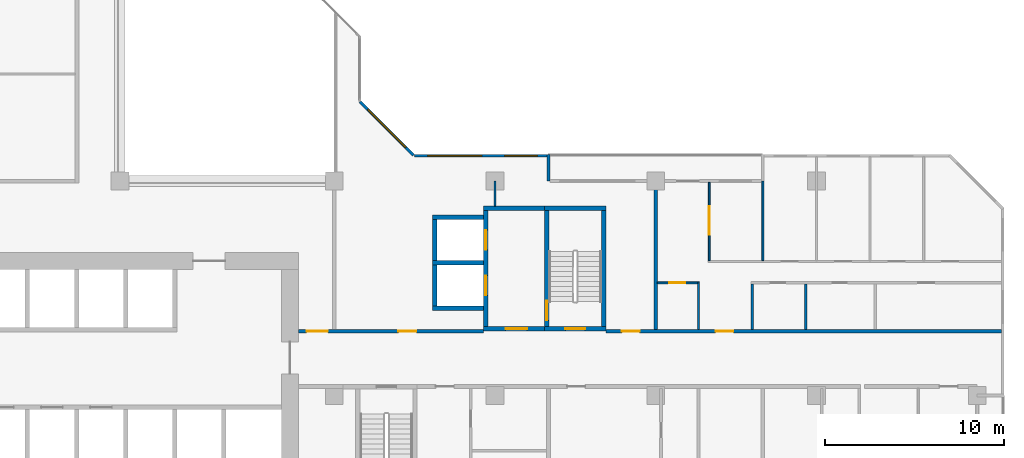
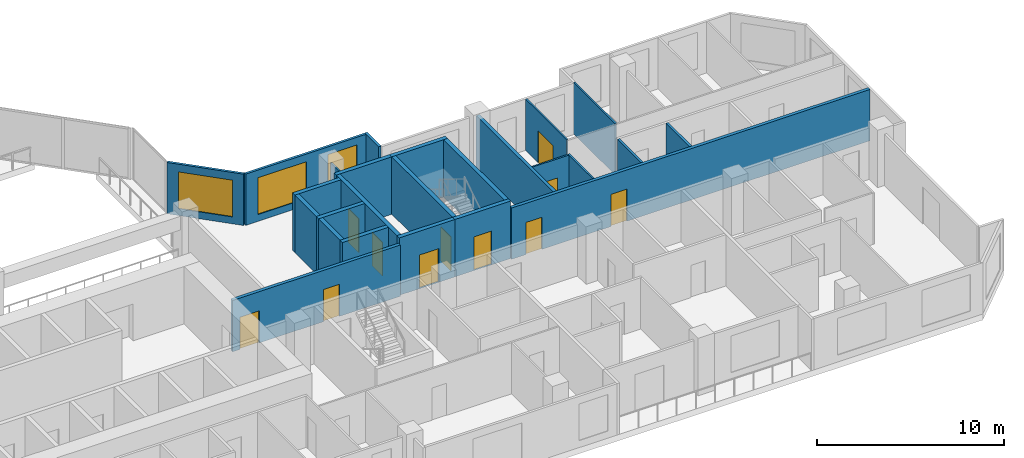
# One storey, part 7 of 15: 25 walls, 11 doors, 3 windows, 14 openings.
"""IFC4 building model written with IfcOpenShell, lengths in metres."""

from ifc_helpers import new_model, si_unit, direction, frame, frame_2d, origin, place, context, subcontext, project, spatial, rectangle, extrude, material, layer, layer_set, type_object, element, fill, save


model = new_model("IFC4")

# Units and contexts
model_context = context("Model", 3, precision=1e-05, world=origin(), true_north=direction((0.0, 1.0)))
body_context = subcontext(model_context, "Body", "Model", "MODEL_VIEW")
ifc_project = project(units=[si_unit("LENGTHUNIT", "METRE"), si_unit("AREAUNIT", "SQUARE_METRE"), si_unit("VOLUMEUNIT", "CUBIC_METRE"), si_unit("PLANEANGLEUNIT", "RADIAN"), si_unit("MASSUNIT", "GRAM", prefix="KILO")], contexts=[model_context])

# Site, building, storey
site_placement = place(None, origin())
site = spatial("IfcSite", under=ifc_project, at=site_placement, CompositionType="ELEMENT")
building_placement = place(site_placement, origin())
building = spatial("IfcBuilding", under=site, at=building_placement, Name="Chenar Terraces", CompositionType="ELEMENT")
storey_placement = place(building_placement, frame((0.0, 0.0, 95.64990234375)))
storey = spatial("IfcBuildingStorey", under=building, at=storey_placement, Name="L21", CompositionType="ELEMENT", Elevation=95.64990234375)

# Wall, opening, door
ifc_material_1 = material(Name="Concrete C70/85", Category="concrete")
ifc_layer_1 = layer(ifc_material_1, 0.25)
ifc_layer_set_1 = layer_set([ifc_layer_1], Name="Concrete C70/85")
wall_type_1 = type_object("IfcWallType", Name="Core wall 250 Concrete C70/85", PredefinedType="SHEAR", material=ifc_layer_set_1)
wall_1_placement = place(storey_placement, frame((47.77490234375, 15.72509765625, 0.0), z_axis=(0.0, 0.0, 1.0), x_axis=(1.0, 0.0, 0.0)))
wall_1 = element("IfcWall", 1, at=wall_1_placement, inside=storey, type_object=wall_type_1, Name="Core wall ST3_S L21", PredefinedType="SHEAR", context=body_context, shape_type="SweptSolid", body=[
    extrude(rectangle(XDim=3.4501953125, YDim=0.25, at=frame_2d((1.72509765625, 0.0))), origin(), (0.0, 0.0, 1.0), 3.75),
])
opening_1_placement = place(wall_1_placement, frame((1.175048828125, 0.0, 0.0)))
opening_1 = element("IfcOpeningElement", 2, at=opening_1_placement, cuts=wall_1, Name="Opening DL21-C8", PredefinedType="OPENING", context=body_context, shape_type="SweptSolid", body=[
    extrude(rectangle(XDim=1.10009765625, YDim=2.199951171875, at=frame_2d((0.550048828125, 1.10009765625))), frame((0.0, 0.135009765625, 0.0), z_axis=(0.0, -1.0, 0.0), x_axis=(1.0, 0.0, 0.0)), (0.0, 0.0, 1.0), 0.27001953125),
])
ifc_material_2 = material(Name="Steel-framed fire-resisting door leaf", Category="steel")
door_type_1 = type_object("IfcDoorType", Name="Stair fire door FD60 1100 x 2200", OperationType="SINGLE_SWING_LEFT", PredefinedType="DOOR", material=ifc_material_2)
door_1_placement = place(opening_1_placement, frame((1.10009765625, 0.0, 0.0), z_axis=(0.0, 0.0, 1.0), x_axis=(-1.0, 0.0, 0.0)))
door_1 = element("IfcDoor", 3, at=door_1_placement, inside=storey, type_object=door_type_1, Name="Stair door DL21-C8", OperationType="SINGLE_SWING_LEFT", OverallHeight=2.199951171875, OverallWidth=1.10009765625, PredefinedType="DOOR", context=body_context, shape_type="SweptSolid", body=[
    extrude(rectangle(XDim=1.10009765625, YDim=2.199951171875, at=frame_2d((0.550048828125, 1.10009765625))), frame((0.0, 0.02490234375, 0.0), z_axis=(0.0, -1.0, 0.0), x_axis=(1.0, 0.0, 0.0)), (0.0, 0.0, 1.0), 0.050048828125),
])
fill(opening_1, door_1)

# Wall
wall_2_placement = place(storey_placement, frame((47.77490234375, 22.47509765625, 0.0), z_axis=(0.0, 0.0, 1.0), x_axis=(1.0, 0.0, 0.0)))
element("IfcWall", 4, at=wall_2_placement, inside=storey, type_object=wall_type_1, Name="Core wall ST3_N L21", PredefinedType="SHEAR", context=body_context, shape_type="SweptSolid", body=[
    extrude(rectangle(XDim=3.4501953125, YDim=0.25, at=frame_2d((1.72509765625, 0.0))), origin(), (0.0, 0.0, 1.0), 3.75),
])

# Wall, opening, door
wall_3_placement = place(storey_placement, frame((47.89990234375, 15.85009765625, 0.0), z_axis=(0.0, 0.0, 1.0), x_axis=(0.0, 1.0, 0.0)))
wall_3 = element("IfcWall", 5, at=wall_3_placement, inside=storey, type_object=wall_type_1, Name="Core wall ST3_W L21", PredefinedType="SHEAR", context=body_context, shape_type="SweptSolid", body=[
    extrude(rectangle(XDim=6.5, YDim=0.25, at=frame_2d((3.25, 0.0))), origin(), (0.0, 0.0, 1.0), 3.75),
])
opening_2_placement = place(wall_3_placement, frame((0.35009765625, 0.0, 0.0)))
opening_2 = element("IfcOpeningElement", 6, at=opening_2_placement, cuts=wall_3, Name="Opening DL21-C11", PredefinedType="OPENING", context=body_context, shape_type="SweptSolid", body=[
    extrude(rectangle(XDim=1.10009765625, YDim=2.199951171875, at=frame_2d((0.550048828125, 1.10009765625))), frame((0.0, 0.135009765625, 0.0), z_axis=(0.0, -1.0, 0.0), x_axis=(1.0, 0.0, 0.0)), (0.0, 0.0, 1.0), 0.27001953125),
])
door_2_placement = place(opening_2_placement, frame((1.10009765625, 0.0, 0.0), z_axis=(0.0, 0.0, 1.0), x_axis=(-1.0, 0.0, 0.0)))
door_2 = element("IfcDoor", 7, at=door_2_placement, inside=storey, type_object=door_type_1, Name="Stair door DL21-C11", OperationType="SINGLE_SWING_RIGHT", OverallHeight=2.199951171875, OverallWidth=1.10009765625, PredefinedType="DOOR", context=body_context, shape_type="SweptSolid", body=[
    extrude(rectangle(XDim=1.10009765625, YDim=2.199951171875, at=frame_2d((0.550048828125, 1.10009765625))), frame((0.0, 0.02490234375, 0.0), z_axis=(0.0, -1.0, 0.0), x_axis=(1.0, 0.0, 0.0)), (0.0, 0.0, 1.0), 0.050048828125),
])
fill(opening_2, door_2)

# Wall
wall_4_placement = place(storey_placement, frame((51.10009765625, 15.85009765625, 0.0), z_axis=(0.0, 0.0, 1.0), x_axis=(0.0, 1.0, 0.0)))
element("IfcWall", 8, at=wall_4_placement, inside=storey, type_object=wall_type_1, Name="Core wall ST3_E L21", PredefinedType="SHEAR", context=body_context, shape_type="SweptSolid", body=[
    extrude(rectangle(XDim=6.5, YDim=0.25, at=frame_2d((3.25, 0.0))), origin(), (0.0, 0.0, 1.0), 3.75),
])

# Wall, opening, door
wall_5_placement = place(storey_placement, frame((44.35009765625, 15.72509765625, 0.0), z_axis=(0.0, 0.0, 1.0), x_axis=(1.0, 0.0, 0.0)))
wall_5 = element("IfcWall", 9, at=wall_5_placement, inside=storey, type_object=wall_type_1, Name="Core wall F3_LS L21", PredefinedType="SHEAR", context=body_context, shape_type="SweptSolid", body=[
    extrude(rectangle(XDim=3.4248046875, YDim=0.25, at=frame_2d((1.71240234375, 0.0))), origin(), (0.0, 0.0, 1.0), 3.75),
])
opening_3_placement = place(wall_5_placement, frame((1.25, 0.0, 0.0)))
opening_3 = element("IfcOpeningElement", 10, at=opening_3_placement, cuts=wall_5, Name="Opening DL21-C10", PredefinedType="OPENING", context=body_context, shape_type="SweptSolid", body=[
    extrude(rectangle(XDim=1.199951171875, YDim=2.199951171875, at=frame_2d((0.60009765625, 1.10009765625))), frame((0.0, 0.135009765625, 0.0), z_axis=(0.0, -1.0, 0.0), x_axis=(1.0, 0.0, 0.0)), (0.0, 0.0, 1.0), 0.27001953125),
])
ifc_material_3 = material(Name="Steel-framed fire-resisting door leaf", Category="steel")
door_type_2 = type_object("IfcDoorType", Name="Lobby fire door FD60 1200 x 2200", OperationType="SINGLE_SWING_LEFT", PredefinedType="DOOR", material=ifc_material_3)
door_3_placement = place(opening_3_placement, origin())
door_3 = element("IfcDoor", 11, at=door_3_placement, inside=storey, type_object=door_type_2, Name="Core door DL21-C10", OperationType="SINGLE_SWING_RIGHT", OverallHeight=2.199951171875, OverallWidth=1.199951171875, PredefinedType="DOOR", context=body_context, shape_type="SweptSolid", body=[
    extrude(rectangle(XDim=1.199951171875, YDim=2.199951171875, at=frame_2d((0.60009765625, 1.10009765625))), frame((0.0, 0.02490234375, 0.0), z_axis=(0.0, -1.0, 0.0), x_axis=(1.0, 0.0, 0.0)), (0.0, 0.0, 1.0), 0.050048828125),
])
fill(opening_3, door_3)

# Wall
wall_6_placement = place(storey_placement, frame((44.35009765625, 22.47509765625, 0.0), z_axis=(0.0, 0.0, 1.0), x_axis=(1.0, 0.0, 0.0)))
element("IfcWall", 12, at=wall_6_placement, inside=storey, type_object=wall_type_1, Name="Core wall F3_LN L21", PredefinedType="SHEAR", context=body_context, shape_type="SweptSolid", body=[
    extrude(rectangle(XDim=3.4248046875, YDim=0.25, at=frame_2d((1.71240234375, 0.0))), origin(), (0.0, 0.0, 1.0), 3.75),
])

# Wall, openings, doors
wall_7_placement = place(storey_placement, frame((44.47509765625, 15.85009765625, 0.0), z_axis=(0.0, 0.0, 1.0), x_axis=(0.0, 1.0, 0.0)))
wall_7 = element("IfcWall", 13, at=wall_7_placement, inside=storey, type_object=wall_type_1, Name="Core wall F3_LW L21", PredefinedType="SHEAR", context=body_context, shape_type="SweptSolid", body=[
    extrude(rectangle(XDim=6.5, YDim=0.25, at=frame_2d((3.25, 0.0))), origin(), (0.0, 0.0, 1.0), 3.75),
])
opening_4_placement = place(wall_7_placement, frame((1.75, 0.0, 0.0)))
opening_4 = element("IfcOpeningElement", 14, at=opening_4_placement, cuts=wall_7, Name="Opening DL21-LD8", PredefinedType="OPENING", context=body_context, shape_type="SweptSolid", body=[
    extrude(rectangle(XDim=1.10009765625, YDim=2.199951171875, at=frame_2d((0.550048828125, 1.10009765625))), frame((0.0, 0.135009765625, 0.0), z_axis=(0.0, -1.0, 0.0), x_axis=(1.0, 0.0, 0.0)), (0.0, 0.0, 1.0), 0.27001953125),
])
opening_5_placement = place(wall_7_placement, frame((4.300048828125, 0.0, 0.0)))
opening_5 = element("IfcOpeningElement", 15, at=opening_5_placement, cuts=wall_7, Name="Opening DL21-LD9", PredefinedType="OPENING", context=body_context, shape_type="SweptSolid", body=[
    extrude(rectangle(XDim=1.10009765625, YDim=2.199951171875, at=frame_2d((0.550048828125, 1.10009765625))), frame((0.0, 0.135009765625, 0.0), z_axis=(0.0, -1.0, 0.0), x_axis=(1.0, 0.0, 0.0)), (0.0, 0.0, 1.0), 0.27001953125),
])
ifc_material_4 = material(Name="Stainless steel", Category="steel")
door_type_3 = type_object("IfcDoorType", Name="Lift landing door 1100 x 2200 sliding", OperationType="DOUBLE_DOOR_SLIDING", PredefinedType="DOOR", material=ifc_material_4)
door_4_placement = place(opening_4_placement, origin())
door_4 = element("IfcDoor", 16, at=door_4_placement, inside=storey, type_object=door_type_3, Name="Landing door F3", OperationType="DOUBLE_DOOR_SLIDING", OverallHeight=2.199951171875, OverallWidth=1.10009765625, PredefinedType="DOOR", context=body_context, shape_type="SweptSolid", body=[
    extrude(rectangle(XDim=1.10009765625, YDim=2.199951171875, at=frame_2d((0.550048828125, 1.10009765625))), frame((0.0, 0.02490234375, 0.0), z_axis=(0.0, -1.0, 0.0), x_axis=(1.0, 0.0, 0.0)), (0.0, 0.0, 1.0), 0.050048828125),
])
fill(opening_4, door_4)
door_5_placement = place(opening_5_placement, origin())
door_5 = element("IfcDoor", 17, at=door_5_placement, inside=storey, type_object=door_type_3, Name="Landing door F4", OperationType="DOUBLE_DOOR_SLIDING", OverallHeight=2.199951171875, OverallWidth=1.10009765625, PredefinedType="DOOR", context=body_context, shape_type="SweptSolid", body=[
    extrude(rectangle(XDim=1.10009765625, YDim=2.199951171875, at=frame_2d((0.550048828125, 1.10009765625))), frame((0.0, 0.02490234375, 0.0), z_axis=(0.0, -1.0, 0.0), x_axis=(1.0, 0.0, 0.0)), (0.0, 0.0, 1.0), 0.050048828125),
])
fill(opening_5, door_5)

# Walls
for number, where, z_axis, x_axis, name in (
    (18, (41.5, 16.875, 0.0), (0.0, 0.0, 1.0), (1.0, 0.0, 0.0), "Core wall F3_SS L21"),
    (19, (41.5, 19.425048828125, 0.0), (0.0, 0.0, 1.0), (1.0, 0.0, 0.0), "Core wall F3_SM L21"),
    (20, (41.5, 21.97509765625, 0.0), (0.0, 0.0, 1.0), (1.0, 0.0, 0.0), "Core wall F4_SN L21"),
):
    element("IfcWall", number, at=place(storey_placement, frame(where, z_axis=z_axis, x_axis=x_axis)), inside=storey, type_object=wall_type_1, Name=name, PredefinedType="SHEAR", context=body_context, shape_type="SweptSolid", body=[
        extrude(rectangle(XDim=2.85009765625, YDim=0.25, at=frame_2d((1.425048828125, 0.0))), origin(), (0.0, 0.0, 1.0), 3.75),
    ])
for number, where, z_axis, x_axis, name in (
    (21, (41.625, 17.0, 0.0), (0.0, 0.0, 1.0), (0.0, 1.0, 0.0), "Core wall F3_SW L21"),
    (22, (41.625, 19.550048828125, 0.0), (0.0, 0.0, 1.0), (0.0, 1.0, 0.0), "Core wall F4_SW L21"),
):
    element("IfcWall", number, at=place(storey_placement, frame(where, z_axis=z_axis, x_axis=x_axis)), inside=storey, type_object=wall_type_1, Name=name, PredefinedType="SHEAR", context=body_context, shape_type="SweptSolid", body=[
        extrude(rectangle(XDim=2.300048828125, YDim=0.25, at=frame_2d((1.14990234375, 0.0))), origin(), (0.0, 0.0, 1.0), 3.75),
    ])

# Wall, openings, doors
ifc_material_5 = material(Name="Gypsum board on steel studs with fire boards", Category="steel")
ifc_layer_2 = layer(ifc_material_5, 0.199951171875)
ifc_layer_set_2 = layer_set([ifc_layer_2], Name="Gypsum board on steel studs with fire boards")
wall_type_2 = type_object("IfcWallType", Name="Corridor wall 200", PredefinedType="PARTITIONING", material=ifc_layer_set_2)
wall_8_placement = place(storey_placement, frame((34.0, 15.60009765625, 0.0), z_axis=(0.0, 0.0, 1.0), x_axis=(1.0, 0.0, 0.0)))
wall_8 = element("IfcWall", 23, at=wall_8_placement, inside=storey, type_object=wall_type_2, Name="Partition L21-068", PredefinedType="PARTITIONING", context=body_context, shape_type="SweptSolid", body=[
    extrude(rectangle(XDim=10.35009765625, YDim=0.199951171875, at=frame_2d((5.175048828125, 0.0))), origin(), (0.0, 0.0, 1.0), 3.35009765625),
])
opening_6_placement = place(wall_8_placement, frame((5.60009765625, 0.0, 0.0)))
opening_6 = element("IfcOpeningElement", 24, at=opening_6_placement, cuts=wall_8, Name="Opening DL21-3", PredefinedType="OPENING", context=body_context, shape_type="SweptSolid", body=[
    extrude(rectangle(XDim=1.0, YDim=2.10009765625, at=frame_2d((0.5, 1.050048828125))), frame((0.0, 0.10986328125, 0.0), z_axis=(0.0, -1.0, 0.0), x_axis=(1.0, 0.0, 0.0)), (0.0, 0.0, 1.0), 0.219970703125),
])
opening_7_placement = place(wall_8_placement, frame((0.449951171875, 0.0, 0.0)))
opening_7 = element("IfcOpeningElement", 25, at=opening_7_placement, cuts=wall_8, Name="Opening DL21-49", PredefinedType="OPENING", context=body_context, shape_type="SweptSolid", body=[
    extrude(rectangle(XDim=1.199951171875, YDim=2.10009765625, at=frame_2d((0.60009765625, 1.050048828125))), frame((0.0, 0.10986328125, 0.0), z_axis=(0.0, -1.0, 0.0), x_axis=(1.0, 0.0, 0.0)), (0.0, 0.0, 1.0), 0.219970703125),
])
ifc_material_6 = material(Name="Steel-framed fire-resisting door leaf", Category="steel")
door_type_4 = type_object("IfcDoorType", Name="Fire door FD60 1000 x 2100", OperationType="SINGLE_SWING_LEFT", PredefinedType="DOOR", material=ifc_material_6)
door_6_placement = place(opening_6_placement, origin())
door_6 = element("IfcDoor", 26, at=door_6_placement, inside=storey, type_object=door_type_4, Name="Door DL21-3", OperationType="SINGLE_SWING_RIGHT", OverallHeight=2.10009765625, OverallWidth=1.0, PredefinedType="DOOR", context=body_context, shape_type="SweptSolid", body=[
    extrude(rectangle(XDim=1.0, YDim=2.10009765625, at=frame_2d((0.5, 1.050048828125))), frame((0.0, 0.02490234375, 0.0), z_axis=(0.0, -1.0, 0.0), x_axis=(1.0, 0.0, 0.0)), (0.0, 0.0, 1.0), 0.050048828125),
])
fill(opening_6, door_6)
ifc_material_7 = material(Name="Steel-framed fire-resisting door leaf", Category="steel")
door_type_5 = type_object("IfcDoorType", Name="Fire door FD60 1200 x 2100", OperationType="SINGLE_SWING_LEFT", PredefinedType="DOOR", material=ifc_material_7)
door_7_placement = place(opening_7_placement, origin())
door_7 = element("IfcDoor", 27, at=door_7_placement, inside=storey, type_object=door_type_5, Name="Door DL21-49", OperationType="SINGLE_SWING_RIGHT", OverallHeight=2.10009765625, OverallWidth=1.199951171875, PredefinedType="DOOR", context=body_context, shape_type="SweptSolid", body=[
    extrude(rectangle(XDim=1.199951171875, YDim=2.10009765625, at=frame_2d((0.60009765625, 1.050048828125))), frame((0.0, 0.02490234375, 0.0), z_axis=(0.0, -1.0, 0.0), x_axis=(1.0, 0.0, 0.0)), (0.0, 0.0, 1.0), 0.050048828125),
])
fill(opening_7, door_7)

wall_9_placement = place(storey_placement, frame((51.22509765625, 15.60009765625, 0.0), z_axis=(0.0, 0.0, 1.0), x_axis=(1.0, 0.0, 0.0)))
wall_9 = element("IfcWall", 28, at=wall_9_placement, inside=storey, type_object=wall_type_2, Name="Partition L21-081", PredefinedType="PARTITIONING", context=body_context, shape_type="SweptSolid", body=[
    extrude(rectangle(XDim=22.125, YDim=0.199951171875, at=frame_2d((11.0625, 0.0))), origin(), (0.0, 0.0, 1.0), 3.35009765625),
])
opening_8_placement = place(wall_9_placement, frame((6.125, 0.0, 0.0)))
opening_8 = element("IfcOpeningElement", 29, at=opening_8_placement, cuts=wall_9, Name="Opening DL21-9", PredefinedType="OPENING", context=body_context, shape_type="SweptSolid", body=[
    extrude(rectangle(XDim=1.0, YDim=2.10009765625, at=frame_2d((0.5, 1.050048828125))), frame((0.0, 0.10986328125, 0.0), z_axis=(0.0, -1.0, 0.0), x_axis=(1.0, 0.0, 0.0)), (0.0, 0.0, 1.0), 0.219970703125),
])
opening_9_placement = place(wall_9_placement, frame((0.875, 0.0, 0.0)))
opening_9 = element("IfcOpeningElement", 30, at=opening_9_placement, cuts=wall_9, Name="Opening DL21-52", PredefinedType="OPENING", context=body_context, shape_type="SweptSolid", body=[
    extrude(rectangle(XDim=1.0, YDim=2.10009765625, at=frame_2d((0.5, 1.050048828125))), frame((0.0, 0.10986328125, 0.0), z_axis=(0.0, -1.0, 0.0), x_axis=(1.0, 0.0, 0.0)), (0.0, 0.0, 1.0), 0.219970703125),
])
ifc_material_8 = material(Name="Steel-framed fire-resisting door leaf", Category="steel")
door_type_6 = type_object("IfcDoorType", Name="Fire door FD30S 1000 x 2100", OperationType="SINGLE_SWING_LEFT", PredefinedType="DOOR", material=ifc_material_8)
door_8_placement = place(opening_8_placement, origin())
door_8 = element("IfcDoor", 31, at=door_8_placement, inside=storey, type_object=door_type_6, Name="Door DL21-9", OperationType="SINGLE_SWING_LEFT", OverallHeight=2.10009765625, OverallWidth=1.0, PredefinedType="DOOR", context=body_context, shape_type="SweptSolid", body=[
    extrude(rectangle(XDim=1.0, YDim=2.10009765625, at=frame_2d((0.5, 1.050048828125))), frame((0.0, 0.02490234375, 0.0), z_axis=(0.0, -1.0, 0.0), x_axis=(1.0, 0.0, 0.0)), (0.0, 0.0, 1.0), 0.050048828125),
])
fill(opening_8, door_8)
door_9_placement = place(opening_9_placement, origin())
door_9 = element("IfcDoor", 32, at=door_9_placement, inside=storey, type_object=door_type_6, Name="Door DL21-52", OperationType="SINGLE_SWING_RIGHT", OverallHeight=2.10009765625, OverallWidth=1.0, PredefinedType="DOOR", context=body_context, shape_type="SweptSolid", body=[
    extrude(rectangle(XDim=1.0, YDim=2.10009765625, at=frame_2d((0.5, 1.050048828125))), frame((0.0, 0.02490234375, 0.0), z_axis=(0.0, -1.0, 0.0), x_axis=(1.0, 0.0, 0.0)), (0.0, 0.0, 1.0), 0.050048828125),
])
fill(opening_9, door_9)

# Wall, openings, windows
ifc_material_9 = material(Name="Aluminium framed glazing", Category="aluminium")
ifc_layer_3 = layer(ifc_material_9, 0.14990234375)
ifc_layer_set_3 = layer_set([ifc_layer_3], Name="Aluminium framed glazing")
wall_type_3 = type_object("IfcWallType", Name="Glazed flush facade wall 150", PredefinedType="SOLIDWALL", material=ifc_layer_set_3)
wall_10_placement = place(storey_placement, frame((47.925048828125, 25.425048828125, 0.0), z_axis=(0.0, 0.0, 1.0), x_axis=(-1.0, 0.0, 0.0)))
wall_10 = element("IfcWall", 33, at=wall_10_placement, inside=storey, type_object=wall_type_3, Name="Glazed flush facade wall", PredefinedType="SOLIDWALL", context=body_context, shape_type="SweptSolid", body=[
    extrude(rectangle(XDim=7.425048828125, YDim=0.14990234375, at=frame_2d((3.71240234375, 0.0))), origin(), (0.0, 0.0, 1.0), 3.35009765625),
])
opening_10_placement = place(wall_10_placement, frame((0.5625, 0.0, 0.449951171875)))
opening_10 = element("IfcOpeningElement", 34, at=opening_10_placement, cuts=wall_10, Name="Opening W180x240", PredefinedType="OPENING", context=body_context, shape_type="SweptSolid", body=[
    extrude(rectangle(XDim=1.800048828125, YDim=2.39990234375, at=frame_2d((0.89990234375, 1.199951171875))), frame((0.0, 0.0849609375, 0.0), z_axis=(0.0, -1.0, 0.0), x_axis=(1.0, 0.0, 0.0)), (0.0, 0.0, 1.0), 0.169921875),
])
opening_11_placement = place(wall_10_placement, frame((3.675048828125, 0.0, 0.449951171875)))
opening_11 = element("IfcOpeningElement", 35, at=opening_11_placement, cuts=wall_10, Name="Opening W300x240", PredefinedType="OPENING", context=body_context, shape_type="SweptSolid", body=[
    extrude(rectangle(XDim=3.0, YDim=2.39990234375, at=frame_2d((1.5, 1.199951171875))), frame((0.0, 0.0849609375, 0.0), z_axis=(0.0, -1.0, 0.0), x_axis=(1.0, 0.0, 0.0)), (0.0, 0.0, 1.0), 0.169921875),
])
ifc_material_10 = material(Name="Low emissivity double glazing, aluminium frame", Category="aluminium")
window_type_1 = type_object("IfcWindowType", Name="Fixed light 1800 x 2400", PartitioningType="SINGLE_PANEL", PredefinedType="WINDOW", material=ifc_material_10)
window_1_placement = place(opening_10_placement, origin())
window_1 = element("IfcWindow", 36, at=window_1_placement, inside=storey, type_object=window_type_1, Name="Window", OverallHeight=2.39990234375, OverallWidth=1.800048828125, PartitioningType="SINGLE_PANEL", PredefinedType="WINDOW", context=body_context, shape_type="SweptSolid", body=[
    extrude(rectangle(XDim=1.800048828125, YDim=2.39990234375, at=frame_2d((0.89990234375, 1.199951171875))), frame((0.0, 0.030029296875, 0.0), z_axis=(0.0, -1.0, 0.0), x_axis=(1.0, 0.0, 0.0)), (0.0, 0.0, 1.0), 0.06005859375),
])
fill(opening_10, window_1)
ifc_material_11 = material(Name="Low emissivity double glazing, aluminium frame", Category="aluminium")
window_type_2 = type_object("IfcWindowType", Name="Fixed light 3000 x 2400", PartitioningType="SINGLE_PANEL", PredefinedType="WINDOW", material=ifc_material_11)
window_2_placement = place(opening_11_placement, origin())
window_2 = element("IfcWindow", 37, at=window_2_placement, inside=storey, type_object=window_type_2, Name="Window", OverallHeight=2.39990234375, OverallWidth=3.0, PartitioningType="SINGLE_PANEL", PredefinedType="WINDOW", context=body_context, shape_type="SweptSolid", body=[
    extrude(rectangle(XDim=3.0, YDim=2.39990234375, at=frame_2d((1.5, 1.199951171875))), frame((0.0, 0.030029296875, 0.0), z_axis=(0.0, -1.0, 0.0), x_axis=(1.0, 0.0, 0.0)), (0.0, 0.0, 1.0), 0.06005859375),
])
fill(opening_11, window_2)

# Wall
ifc_material_12 = material(Name="Gypsum board on steel studs", Category="steel")
ifc_layer_4 = layer(ifc_material_12, 0.10009765625)
ifc_layer_set_4 = layer_set([ifc_layer_4], Name="Gypsum board on steel studs")
wall_type_4 = type_object("IfcWallType", Name="Gypsum partition 100", PredefinedType="PARTITIONING", material=ifc_layer_set_4)
wall_11_placement = place(storey_placement, frame((45.0, 22.60009765625, 0.0), z_axis=(0.0, 0.0, 1.0), x_axis=(0.0, 1.0, 0.0)))
element("IfcWall", 38, at=wall_11_placement, inside=storey, type_object=wall_type_4, Name="Partition L21-076", PredefinedType="PARTITIONING", context=body_context, shape_type="SweptSolid", body=[
    extrude(rectangle(XDim=1.39990234375, YDim=0.10009765625, at=frame_2d((0.699951171875, 0.0))), origin(), (0.0, 0.0, 1.0), 3.35009765625),
])

# Wall, opening, door
wall_12_placement = place(storey_placement, frame((54.10009765625, 18.300048828125, 0.0), z_axis=(0.0, 0.0, 1.0), x_axis=(1.0, 0.0, 0.0)))
wall_12 = element("IfcWall", 39, at=wall_12_placement, inside=storey, type_object=wall_type_4, Name="Partition L21-084", PredefinedType="PARTITIONING", context=body_context, shape_type="SweptSolid", body=[
    extrude(rectangle(XDim=2.25, YDim=0.10009765625, at=frame_2d((1.125, 0.0))), origin(), (0.0, 0.0, 1.0), 3.35009765625),
])
opening_12_placement = place(wall_12_placement, frame((0.64990234375, 0.0, 0.0)))
opening_12 = element("IfcOpeningElement", 40, at=opening_12_placement, cuts=wall_12, Name="Opening DL21-11", PredefinedType="OPENING", context=body_context, shape_type="SweptSolid", body=[
    extrude(rectangle(XDim=0.89990234375, YDim=2.10009765625, at=frame_2d((0.449951171875, 1.050048828125))), frame((0.0, 0.06005859375, 0.0), z_axis=(0.0, -1.0, 0.0), x_axis=(1.0, 0.0, 0.0)), (0.0, 0.0, 1.0), 0.1201171875),
])
ifc_material_13 = material(Name="Veneered timber door leaf", Category="wood")
door_type_7 = type_object("IfcDoorType", Name="Door 900 x 2100", OperationType="SINGLE_SWING_LEFT", PredefinedType="DOOR", material=ifc_material_13)
door_10_placement = place(opening_12_placement, frame((0.89990234375, 0.0, 0.0), z_axis=(0.0, 0.0, 1.0), x_axis=(-1.0, 0.0, 0.0)))
door_10 = element("IfcDoor", 41, at=door_10_placement, inside=storey, type_object=door_type_7, Name="Door DL21-11", OperationType="SINGLE_SWING_RIGHT", OverallHeight=2.10009765625, OverallWidth=0.89990234375, PredefinedType="DOOR", context=body_context, shape_type="SweptSolid", body=[
    extrude(rectangle(XDim=0.89990234375, YDim=2.10009765625, at=frame_2d((0.449951171875, 1.050048828125))), frame((0.0, 0.02490234375, 0.0), z_axis=(0.0, -1.0, 0.0), x_axis=(1.0, 0.0, 0.0)), (0.0, 0.0, 1.0), 0.050048828125),
])
fill(opening_12, door_10)

# Wall
wall_13_placement = place(storey_placement, frame((56.39990234375, 15.699951171875, 0.0), z_axis=(0.0, 0.0, 1.0), x_axis=(0.0, 1.0, 0.0)))
element("IfcWall", 42, at=wall_13_placement, inside=storey, type_object=wall_type_4, Name="Partition L21-088", PredefinedType="PARTITIONING", context=body_context, shape_type="SweptSolid", body=[
    extrude(rectangle(XDim=2.650146484375, YDim=0.10009765625, at=frame_2d((1.3251953125, 0.0))), origin(), (0.0, 0.0, 1.0), 3.35009765625),
])

# Wall, opening, door
wall_14_placement = place(storey_placement, frame((57.0, 19.550048828125, 0.0), z_axis=(0.0, 0.0, 1.0), x_axis=(0.0, 1.0, 0.0)))
wall_14 = element("IfcWall", 43, at=wall_14_placement, inside=storey, type_object=wall_type_4, Name="Partition L21-090", PredefinedType="PARTITIONING", context=body_context, shape_type="SweptSolid", body=[
    extrude(rectangle(XDim=4.3759765625, YDim=0.10009765625, at=frame_2d((2.18798828125, 0.0))), origin(), (0.0, 0.0, 1.0), 3.35009765625),
])
opening_13_placement = place(wall_14_placement, frame((1.449951171875, 0.0, 0.0)))
opening_13 = element("IfcOpeningElement", 44, at=opening_13_placement, cuts=wall_14, Name="Opening DL21-10", PredefinedType="OPENING", context=body_context, shape_type="SweptSolid", body=[
    extrude(rectangle(XDim=1.60009765625, YDim=2.10009765625, at=frame_2d((0.800048828125, 1.050048828125))), frame((0.0, 0.06005859375, 0.0), z_axis=(0.0, -1.0, 0.0), x_axis=(1.0, 0.0, 0.0)), (0.0, 0.0, 1.0), 0.1201171875),
])
ifc_material_14 = material(Name="Veneered timber door leaf", Category="wood")
door_type_8 = type_object("IfcDoorType", Name="Double door 1600 x 2100", OperationType="DOUBLE_DOOR_SINGLE_SWING", PredefinedType="DOOR", material=ifc_material_14)
door_11_placement = place(opening_13_placement, frame((1.60009765625, 0.0, 0.0), z_axis=(0.0, 0.0, 1.0), x_axis=(-1.0, 0.0, 0.0)))
door_11 = element("IfcDoor", 45, at=door_11_placement, inside=storey, type_object=door_type_8, Name="Door DL21-10", OperationType="DOUBLE_DOOR_SINGLE_SWING", OverallHeight=2.10009765625, OverallWidth=1.60009765625, PredefinedType="DOOR", context=body_context, shape_type="SweptSolid", body=[
    extrude(rectangle(XDim=1.60009765625, YDim=2.10009765625, at=frame_2d((0.800048828125, 1.050048828125))), frame((0.0, 0.02490234375, 0.0), z_axis=(0.0, -1.0, 0.0), x_axis=(1.0, 0.0, 0.0)), (0.0, 0.0, 1.0), 0.050048828125),
])
fill(opening_13, door_11)

# Walls
wall_15_placement = place(storey_placement, frame((60.0, 19.550048828125, 0.0), z_axis=(0.0, 0.0, 1.0), x_axis=(0.0, 1.0, 0.0)))
element("IfcWall", 46, at=wall_15_placement, inside=storey, type_object=wall_type_4, Name="Partition L21-094", PredefinedType="PARTITIONING", context=body_context, shape_type="SweptSolid", body=[
    extrude(rectangle(XDim=4.449951171875, YDim=0.10009765625, at=frame_2d((2.22509765625, 0.0))), origin(), (0.0, 0.0, 1.0), 3.35009765625),
])
ifc_material_15 = material(Name="Terracotta cladding on insulated backing", Category="masonry")
ifc_layer_5 = layer(ifc_material_15, 0.14990234375)
ifc_layer_set_5 = layer_set([ifc_layer_5], Name="Terracotta cladding on insulated backing")
wall_type_5 = type_object("IfcWallType", Name="Loggia return wall 150", PredefinedType="SOLIDWALL", material=ifc_layer_set_5)
wall_16_placement = place(storey_placement, frame((48.0, 25.5, 0.0), z_axis=(0.0, 0.0, 1.0), x_axis=(0.0, -1.0, 0.0)))
element("IfcWall", 47, at=wall_16_placement, inside=storey, type_object=wall_type_5, Name="Loggia return wall", PredefinedType="SOLIDWALL", context=body_context, shape_type="SweptSolid", body=[
    extrude(rectangle(XDim=1.5, YDim=0.14990234375, at=frame_2d((0.75, 0.0))), origin(), (0.0, 0.0, 1.0), 3.35009765625),
])

# Wall, opening, window
ifc_material_16 = material(Name="Terracotta cladding on insulated backing", Category="masonry")
ifc_layer_6 = layer(ifc_material_16, 0.14990234375)
ifc_layer_set_6 = layer_set([ifc_layer_6], Name="Terracotta cladding on insulated backing")
wall_type_6 = type_object("IfcWallType", Name="Terracotta rainscreen wall 150", PredefinedType="SOLIDWALL", material=ifc_layer_set_6)
wall_17_placement = place(storey_placement, frame((40.447021484375, 25.447021484375, 0.0), z_axis=(0.0, 0.0, 1.0), x_axis=(-0.707106781187, 0.707106781187, 0.0)))
wall_17 = element("IfcWall", 48, at=wall_17_placement, inside=storey, type_object=wall_type_6, Name="Terracotta rainscreen wall", PredefinedType="SOLIDWALL", context=body_context, shape_type="SweptSolid", body=[
    extrude(rectangle(XDim=4.24267578125, YDim=0.14990234375, at=frame_2d((2.121337890625, 0.0))), origin(), (0.0, 0.0, 1.0), 3.35009765625),
])
opening_14_placement = place(wall_17_placement, frame((0.621337890625, 0.0, 0.449951171875)))
opening_14 = element("IfcOpeningElement", 49, at=opening_14_placement, cuts=wall_17, Name="Opening W300x240", PredefinedType="OPENING", context=body_context, shape_type="SweptSolid", body=[
    extrude(rectangle(XDim=3.0, YDim=2.39990234375, at=frame_2d((1.5, 1.199951171875))), frame((0.0, 0.0849609375, 0.0), z_axis=(0.0, -1.0, 0.0), x_axis=(1.0, 0.0, 0.0)), (0.0, 0.0, 1.0), 0.169921875),
])
window_3_placement = place(opening_14_placement, origin())
window_3 = element("IfcWindow", 50, at=window_3_placement, inside=storey, type_object=window_type_2, Name="Window", OverallHeight=2.39990234375, OverallWidth=3.0, PartitioningType="SINGLE_PANEL", PredefinedType="WINDOW", context=body_context, shape_type="SweptSolid", body=[
    extrude(rectangle(XDim=3.0, YDim=2.39990234375, at=frame_2d((1.5, 1.199951171875))), frame((0.0, 0.030029296875, 0.0), z_axis=(0.0, -1.0, 0.0), x_axis=(1.0, 0.0, 0.0)), (0.0, 0.0, 1.0), 0.06005859375),
])
fill(opening_14, window_3)

# Walls
ifc_material_17 = material(Name="Twin gypsum board on steel studs with mineral wool", Category="steel")
ifc_layer_7 = layer(ifc_material_17, 0.199951171875)
ifc_layer_set_7 = layer_set([ifc_layer_7], Name="Twin gypsum board on steel studs with mineral wool")
wall_type_7 = type_object("IfcWallType", Name="Unit demising wall 200", PredefinedType="PARTITIONING", material=ifc_layer_set_7)
wall_18_placement = place(storey_placement, frame((54.0, 15.699951171875, 0.0), z_axis=(0.0, 0.0, 1.0), x_axis=(0.0, 1.0, 0.0)))
element("IfcWall", 51, at=wall_18_placement, inside=storey, type_object=wall_type_7, Name="Partition L21-083", PredefinedType="PARTITIONING", context=body_context, shape_type="SweptSolid", body=[
    extrude(rectangle(XDim=8.22607421875, YDim=0.199951171875, at=frame_2d((4.113037109375, 0.0))), origin(), (0.0, 0.0, 1.0), 3.35009765625),
])
ifc_material_18 = material(Name="Moisture-resistant gypsum board on steel studs", Category="steel")
ifc_layer_8 = layer(ifc_material_18, 0.14990234375)
ifc_layer_set_8 = layer_set([ifc_layer_8], Name="Moisture-resistant gypsum board on steel studs")
wall_type_8 = type_object("IfcWallType", Name="Wet-room partition 150", PredefinedType="PARTITIONING", material=ifc_layer_set_8)
for number, where, z_axis, x_axis, name in (
    (52, (59.39990234375, 15.699951171875, 0.0), (0.0, 0.0, 1.0), (0.0, 1.0, 0.0), "Partition L21-092"),
    (53, (62.39990234375, 15.699951171875, 0.0), (0.0, 0.0, 1.0), (0.0, 1.0, 0.0), "Partition L21-098"),
):
    element("IfcWall", number, at=place(storey_placement, frame(where, z_axis=z_axis, x_axis=x_axis)), inside=storey, type_object=wall_type_8, Name=name, PredefinedType="PARTITIONING", context=body_context, shape_type="SweptSolid", body=[
        extrude(rectangle(XDim=2.525146484375, YDim=0.14990234375, at=frame_2d((1.2626953125, 0.0))), origin(), (0.0, 0.0, 1.0), 3.35009765625),
    ])

save(model, "model.ifc")
